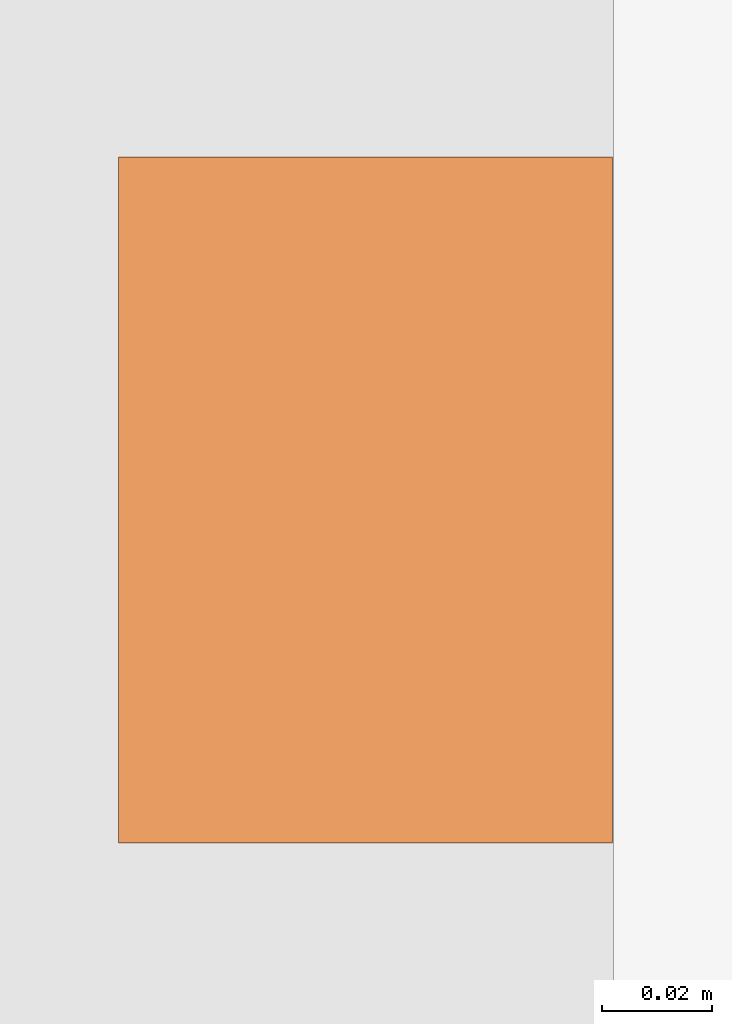
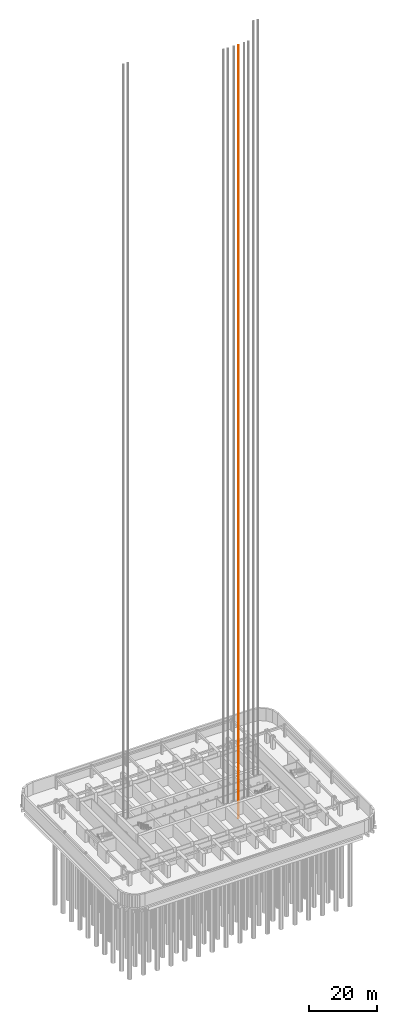
# One storey, part 22 of 28: 1 proxy.
"""IFC4 building model written with IfcOpenShell, lengths in metres."""

from ifc_helpers import new_model, si_unit, direction, frame, origin, origin_2d, place, context, subcontext, project, spatial, rectangle, extrude, material, element, save


model = new_model("IFC4")

# Units and contexts
model_context = context("Model", 3, precision=1e-05, world=origin(), true_north=direction((0.0, 1.0)))
body_context = subcontext(model_context, "Body", "Model", "MODEL_VIEW")
ifc_project = project(units=[si_unit("LENGTHUNIT", "METRE"), si_unit("AREAUNIT", "SQUARE_METRE"), si_unit("VOLUMEUNIT", "CUBIC_METRE"), si_unit("PLANEANGLEUNIT", "RADIAN"), si_unit("MASSUNIT", "GRAM", prefix="KILO")], contexts=[model_context])

# Site, building, storey
site_placement = place(None, origin())
site = spatial("IfcSite", under=ifc_project, at=site_placement, CompositionType="ELEMENT")
building_placement = place(site_placement, origin())
building = spatial("IfcBuilding", under=site, at=building_placement, Name="Orbita Commons", CompositionType="ELEMENT")
storey_placement = place(building_placement, frame((0.0, 0.0, -9.0)))
storey = spatial("IfcBuildingStorey", under=building, at=storey_placement, Name="L-02", CompositionType="ELEMENT", Elevation=-9.0)

# Proxy
ifc_material = material(Name="Machined steel guide rail", Category="steel")
placement = place(storey_placement, frame((52.699951171875, 28.10009765625, 0.0), z_axis=(0.0, 0.0, 1.0), x_axis=(1.0, 0.0, 0.0)))
proxy_placement = place(placement, frame((0.7548828125, 0.0, -3.199951171875)))
element("IfcBuildingElementProxy", 1, at=proxy_placement, inside=storey, material=ifc_material, Name="SV2 guide rail 2", ObjectType="GUIDE RAIL", PredefinedType="USERDEFINED", context=body_context, shape_type="SweptSolid", body=[
    extrude(rectangle(XDim=0.09, YDim=0.125, at=origin_2d()), origin(), (0.0, 0.0, 1.0), 279.0),
])

save(model, "model.ifc")
